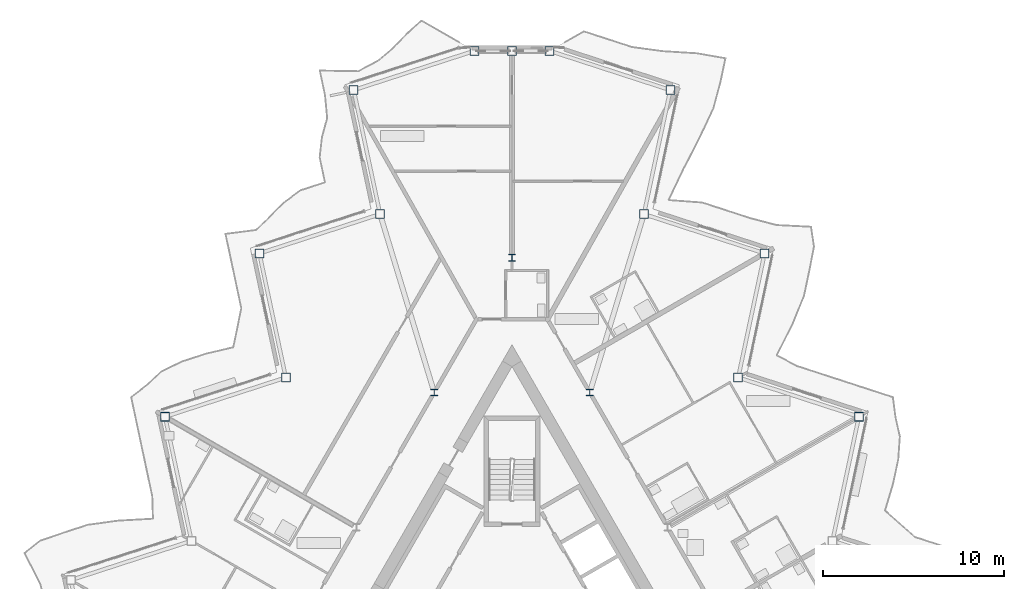
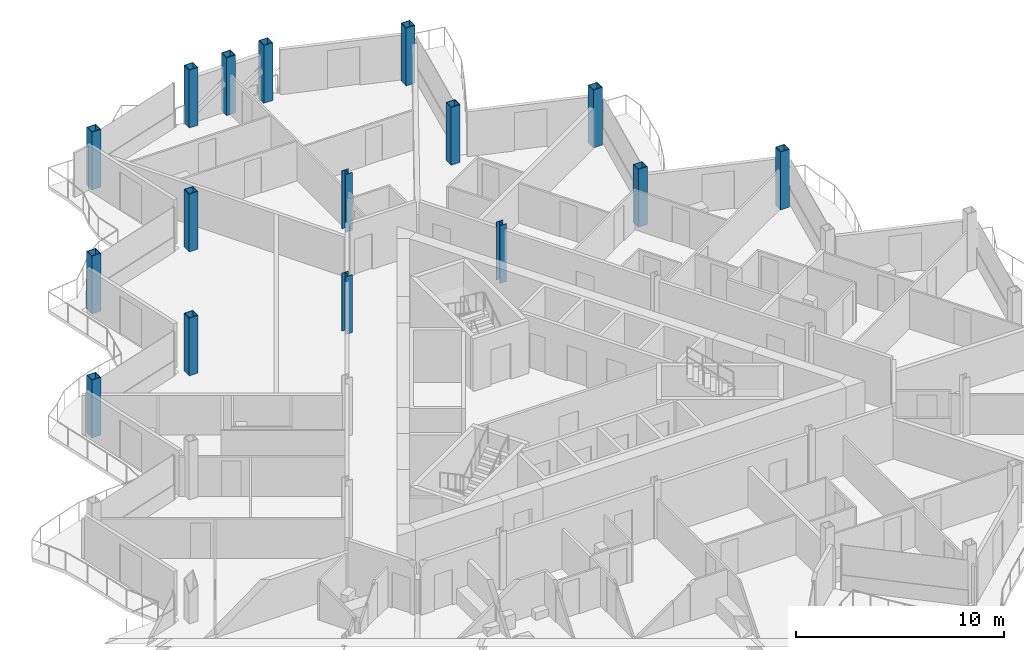
# One storey, part 3 of 26: 16 columns.
"""IFC4 building model written with IfcOpenShell, lengths in metres."""

from ifc_helpers import new_model, si_unit, direction, frame, origin, origin_2d, place, context, subcontext, project, spatial, hollow_rectangle, i_section, extrude, material, material_profile, profile_set, type_object, element, save


model = new_model("IFC4")

# Units and contexts
model_context = context("Model", 3, precision=1e-05, world=origin(), true_north=direction((0.0, 1.0)))
body_context = subcontext(model_context, "Body", "Model", "MODEL_VIEW")
ifc_project = project(units=[si_unit("LENGTHUNIT", "METRE"), si_unit("AREAUNIT", "SQUARE_METRE"), si_unit("VOLUMEUNIT", "CUBIC_METRE"), si_unit("PLANEANGLEUNIT", "RADIAN"), si_unit("MASSUNIT", "GRAM", prefix="KILO")], contexts=[model_context])

# Site, building, storey
site_placement = place(None, origin())
site = spatial("IfcSite", under=ifc_project, at=site_placement, CompositionType="ELEMENT")
building_placement = place(site_placement, origin())
building = spatial("IfcBuilding", under=site, at=building_placement, Name="Cormorant Prow Tower", CompositionType="ELEMENT")
storey_placement = place(building_placement, frame((0.0, 0.0, 378.0)))
storey = spatial("IfcBuildingStorey", under=building, at=storey_placement, Name="L85", CompositionType="ELEMENT", Elevation=378.0)

# Columns
ifc_material_1 = material(Name="Structural steel ASTM A572 Gr 50", Category="steel")
ifc_material_profile_1 = material_profile(ifc_material_1, hollow_rectangle(XDim=0.5, YDim=0.5, WallThickness=0.030029296875, at=origin_2d()), Name="Box 500x500x30")
ifc_profile_set_1 = profile_set([ifc_material_profile_1], Name="Structural steel ASTM A572 Gr 50")
column_type_1 = type_object("IfcColumnType", Name="Perimeter box column 500x500x30", PredefinedType="COLUMN", material=ifc_profile_set_1)
for number, where, z_axis, x_axis, name in (
    (1, (19.128662109375, 11.0439453125, 0.0), (0.0, 0.0, 1.0), (1.0, 0.0, 0.0), "Perimeter column C7 at ENE05 L85"),
    (2, (12.473876953125, 13.206298828125, 0.0), (0.0, 0.0, 1.0), (1.0, 0.0, 0.0), "Perimeter column C7 at ENE06 L85"),
    (3, (13.9287109375, 20.050537109375, 0.0), (0.0, 0.0, 1.0), (1.0, 0.0, 0.0), "Perimeter column C7 at ENE07 L85"),
    (4, (7.273681640625, 22.212890625, 0.0), (0.0, 0.0, 1.0), (1.0, 0.0, 0.0), "Perimeter column C7 at ENE08 L85"),
    (5, (8.728515625, 29.05712890625, 0.0), (0.0, 0.0, 1.0), (1.0, 0.0, 0.0), "Perimeter column C7 at ENE09 L85"),
    (6, (2.07373046875, 31.219482421875, 0.0), (0.0, 0.0, 1.0), (1.0, 0.0, 0.0), "Perimeter column C7 at N00 L85"),
    (7, (0.0, 31.219482421875, 0.0), (0.0, 0.0, 1.0), (1.0, 0.0, 0.0), "Perimeter column C7 at N01 L85"),
    (8, (-2.07373046875, 31.219482421875, 0.0), (0.0, 0.0, 1.0), (1.0, 0.0, 0.0), "Perimeter column C7 at WNW00 L85"),
    (9, (-8.728515625, 29.05712890625, 0.0), (0.0, 0.0, 1.0), (1.0, 0.0, 0.0), "Perimeter column C7 at WNW01 L85"),
    (10, (-7.273681640625, 22.212890625, 0.0), (0.0, 0.0, 1.0), (1.0, 0.0, 0.0), "Perimeter column C7 at WNW02 L85"),
    (11, (-13.9287109375, 20.050537109375, 0.0), (0.0, 0.0, 1.0), (1.0, 0.0, 0.0), "Perimeter column C7 at WNW03 L85"),
    (12, (-12.473876953125, 13.206298828125, 0.0), (0.0, 0.0, 1.0), (1.0, 0.0, 0.0), "Perimeter column C7 at WNW04 L85"),
    (13, (-19.128662109375, 11.0439453125, 0.0), (0.0, 0.0, 1.0), (1.0, 0.0, 0.0), "Perimeter column C7 at WNW05 L85"),
):
    element("IfcColumn", number, at=place(storey_placement, frame(where, z_axis=z_axis, x_axis=x_axis)), inside=storey, type_object=column_type_1, Name=name, PredefinedType="COLUMN", context=body_context, shape_type="SweptSolid", body=[
        extrude(hollow_rectangle(XDim=0.5, YDim=0.5, WallThickness=0.030029296875, at=origin_2d()), origin(), (0.0, 0.0, 1.0), 3.39990234375),
    ])
ifc_material_2 = material(Name="Structural steel ASTM A992 Gr 50", Category="steel")
ifc_material_profile_2 = material_profile(ifc_material_2, i_section(OverallWidth=0.3740234375, OverallDepth=0.372314453125, WebThickness=0.016357421875, FlangeThickness=0.026123046875, at=origin_2d()), Name="W14x132")
ifc_profile_set_2 = profile_set([ifc_material_profile_2], Name="Structural steel ASTM A992 Gr 50")
column_type_2 = type_object("IfcColumnType", Name="Ring column W14x132", PredefinedType="COLUMN", material=ifc_profile_set_2)
for number, where, z_axis, x_axis, name in (
    (14, (0.0, 19.81103515625, 0.0), (0.0, 0.0, 1.0), (1.0, 0.0, 0.0), "Ring column 1 L85"),
    (15, (-4.289306640625, 12.3818359375, 0.0), (0.0, 0.0, 1.0), (1.0, 0.0, 0.0), "Ring column 2 L85"),
    (16, (4.289306640625, 12.3818359375, 0.0), (0.0, 0.0, 1.0), (1.0, 0.0, 0.0), "Ring column 12 L85"),
):
    element("IfcColumn", number, at=place(storey_placement, frame(where, z_axis=z_axis, x_axis=x_axis)), inside=storey, type_object=column_type_2, Name=name, PredefinedType="COLUMN", context=body_context, shape_type="SweptSolid", body=[
        extrude(i_section(OverallWidth=0.3740234375, OverallDepth=0.372314453125, WebThickness=0.016357421875, FlangeThickness=0.026123046875, at=origin_2d()), origin(), (0.0, 0.0, 1.0), 3.39990234375),
    ])

save(model, "model.ifc")
